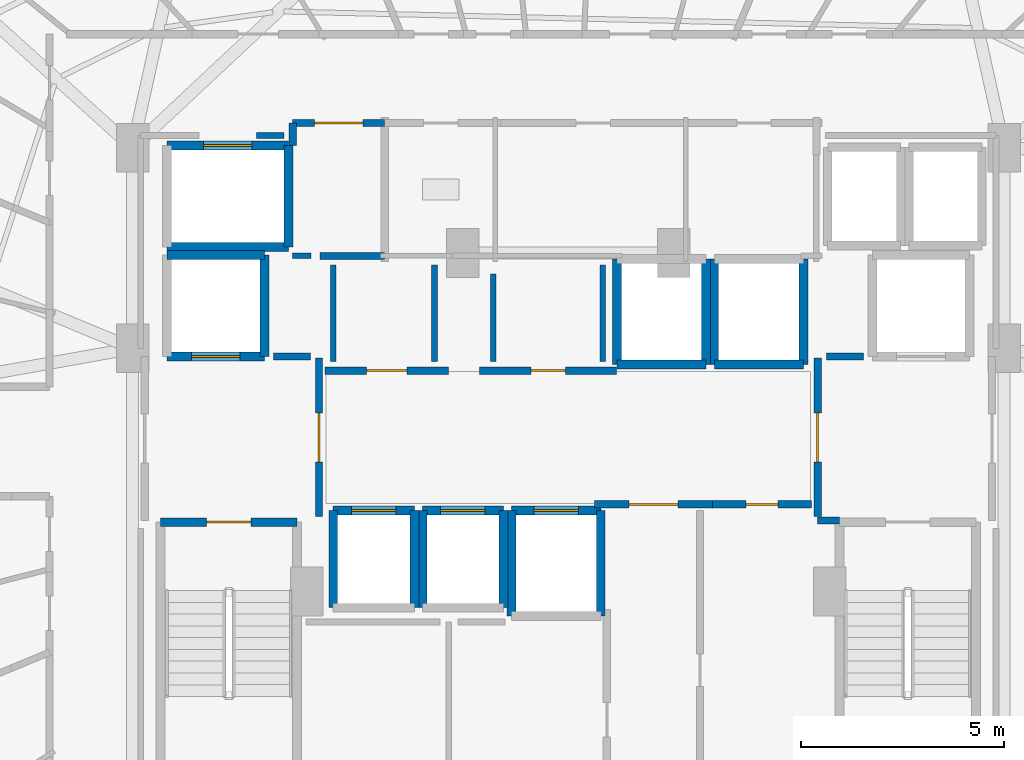
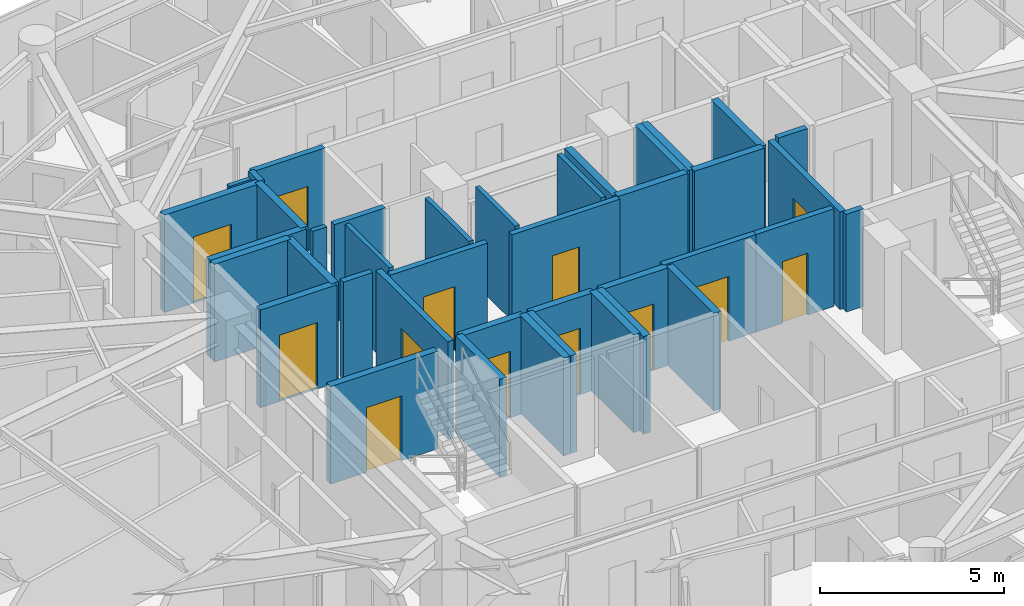
# One storey, part 22 of 28: 40 walls, 13 doors, 13 openings.
"""IFC4 building model written with IfcOpenShell, lengths in metres."""

from ifc_helpers import new_model, si_unit, direction, frame, frame_2d, origin, place, context, subcontext, project, spatial, rectangle, extrude, material, layer, layer_set, type_object, element, fill, save


model = new_model("IFC4")

# Units and contexts
model_context = context("Model", 3, precision=1e-05, world=origin(), true_north=direction((0.0, 1.0)))
body_context = subcontext(model_context, "Body", "Model", "MODEL_VIEW")
ifc_project = project(units=[si_unit("LENGTHUNIT", "METRE"), si_unit("AREAUNIT", "SQUARE_METRE"), si_unit("VOLUMEUNIT", "CUBIC_METRE"), si_unit("PLANEANGLEUNIT", "RADIAN"), si_unit("MASSUNIT", "GRAM", prefix="KILO")], contexts=[model_context])

# Site, building, storey
site_placement = place(None, origin())
site = spatial("IfcSite", under=ifc_project, at=site_placement, CompositionType="ELEMENT")
building_placement = place(site_placement, origin())
building = spatial("IfcBuilding", under=site, at=building_placement, Name="Vorneva Point Tower", CompositionType="ELEMENT")
storey_placement = place(building_placement, frame((0.0, 0.0, 146.60009765625)))
storey = spatial("IfcBuildingStorey", under=building, at=storey_placement, Name="L39", CompositionType="ELEMENT", Elevation=146.60009765625)

# Wall, opening, door
ifc_material_1 = material(Name="Concrete B60 (C50/60)", Category="concrete")
ifc_layer_1 = layer(ifc_material_1, 0.5)
ifc_layer_set_1 = layer_set([ifc_layer_1], Name="Concrete B60 (C50/60)")
wall_type_1 = type_object("IfcWallType", Name="WL-CORE-500", PredefinedType="SHEAR", material=ifc_layer_set_1)
wall_1_placement = place(storey_placement, frame((28.10009765625, 28.0, 0.0), z_axis=(0.0, 0.0, 1.0), x_axis=(1.0, 0.0, 0.0)))
wall_1 = element("IfcWall", 1, at=wall_1_placement, inside=storey, type_object=wall_type_1, Name="L39 Lift FFL1 Shaft Wall -Y", PredefinedType="SHEAR", context=body_context, shape_type="SweptSolid", body=[
    extrude(rectangle(XDim=2.39990234375, YDim=0.219970703125, at=frame_2d((1.199951171875, 0.0))), origin(), (0.0, 0.0, 1.0), 3.239990234375),
])
opening_1_placement = place(wall_1_placement, frame((0.60009765625, 0.0, 0.0)))
opening_1 = element("IfcOpeningElement", 2, at=opening_1_placement, cuts=wall_1, Name="Opening LD-02", PredefinedType="OPENING", context=body_context, shape_type="SweptSolid", body=[
    extrude(rectangle(XDim=1.199951171875, YDim=2.199951171875, at=frame_2d((0.60009765625, 1.10009765625))), frame((0.0, 0.125, 0.0), z_axis=(0.0, -1.0, 0.0), x_axis=(1.0, 0.0, 0.0)), (0.0, 0.0, 1.0), 0.249755859375),
])
ifc_material_2 = material(Name="Brushed stainless steel S304", Category="steel")
door_type_1 = type_object("IfcDoorType", Name="LD-FIRE-1200", OperationType="SLIDING_TO_LEFT", PredefinedType="DOOR", material=ifc_material_2)
door_1_placement = place(opening_1_placement, origin())
door_1 = element("IfcDoor", 3, at=door_1_placement, inside=storey, type_object=door_type_1, Name="L39 Lift FFL1 Sliding Landing Door", OperationType="SLIDING_TO_LEFT", OverallHeight=2.199951171875, OverallWidth=1.199951171875, PredefinedType="DOOR", context=body_context, shape_type="SweptSolid", body=[
    extrude(rectangle(XDim=1.199951171875, YDim=2.199951171875, at=frame_2d((0.60009765625, 1.10009765625))), frame((0.0, 0.02490234375, 0.0), z_axis=(0.0, -1.0, 0.0), x_axis=(1.0, 0.0, 0.0)), (0.0, 0.0, 1.0), 0.050048828125),
])
fill(opening_1, door_1)

# Walls
wall_2_placement = place(storey_placement, frame((30.5, 28.0, 0.0), z_axis=(0.0, 0.0, 1.0), x_axis=(0.0, 1.0, 0.0)))
element("IfcWall", 4, at=wall_2_placement, inside=storey, type_object=wall_type_1, Name="L39 Lift FFL1 Shaft Wall +X", PredefinedType="SHEAR", context=body_context, shape_type="SweptSolid", body=[
    extrude(rectangle(XDim=2.5, YDim=0.219970703125, at=frame_2d((1.25, 0.0))), origin(), (0.0, 0.0, 1.0), 3.239990234375),
])
wall_3_placement = place(storey_placement, frame((30.5, 30.5, 0.0), z_axis=(0.0, 0.0, 1.0), x_axis=(-1.0, 0.0, 0.0)))
element("IfcWall", 5, at=wall_3_placement, inside=storey, type_object=wall_type_1, Name="L39 Lift FFL1 Shaft Wall +Y", PredefinedType="SHEAR", context=body_context, shape_type="SweptSolid", body=[
    extrude(rectangle(XDim=2.39990234375, YDim=0.219970703125, at=frame_2d((1.199951171875, 0.0))), origin(), (0.0, 0.0, 1.0), 3.239990234375),
])
ifc_material_3 = material(Name="Fire-rated acoustic gypsum stud partition", Category="gypsum")
ifc_layer_2 = layer(ifc_material_3, 0.139892578125)
ifc_layer_set_2 = layer_set([ifc_layer_2], Name="Fire-rated acoustic gypsum stud partition")
wall_type_2 = type_object("IfcWallType", Name="WL-PART-140", PredefinedType="PARTITIONING", material=ifc_layer_set_2)
wall_4_placement = place(storey_placement, frame((31.199951171875, 30.47998046875, 0.0), z_axis=(0.0, 0.0, 1.0), x_axis=(1.0, 0.0, 0.0)))
element("IfcWall", 6, at=wall_4_placement, inside=storey, type_object=wall_type_2, Name="L39 Interior Closure Partition 136", PredefinedType="PARTITIONING", context=body_context, shape_type="SweptSolid", body=[
    extrude(rectangle(XDim=0.449951171875, YDim=0.139892578125, at=frame_2d((0.22509765625, 0.0))), origin(), (0.0, 0.0, 1.0), 3.239990234375),
])
for number, where, z_axis, x_axis, name in (
    (7, (32.199951171875, 30.260009765625, 0.0), (0.0, 0.0, 1.0), (0.0, -1.0, 0.0), "L39 Interior Closure Partition 142"),
    (8, (34.699951171875, 27.8701171875, 0.0), (0.0, 0.0, 1.0), (0.0, 1.0, 0.0), "L39 Interior Closure Partition 143"),
):
    element("IfcWall", number, at=place(storey_placement, frame(where, z_axis=z_axis, x_axis=x_axis)), inside=storey, type_object=wall_type_2, Name=name, PredefinedType="PARTITIONING", context=body_context, shape_type="SweptSolid", body=[
        extrude(rectangle(XDim=2.389892578125, YDim=0.139892578125, at=frame_2d((1.19482421875, 0.0))), origin(), (0.0, 0.0, 1.0), 3.239990234375),
    ])
wall_5_placement = place(storey_placement, frame((36.14990234375, 30.030029296875, 0.0), z_axis=(0.0, 0.0, 1.0), x_axis=(0.0, -1.0, 0.0)))
element("IfcWall", 9, at=wall_5_placement, inside=storey, type_object=wall_type_2, Name="L39 Interior Closure Partition 144", PredefinedType="PARTITIONING", context=body_context, shape_type="SweptSolid", body=[
    extrude(rectangle(XDim=2.159912109375, YDim=0.139892578125, at=frame_2d((1.080078125, 0.0))), origin(), (0.0, 0.0, 1.0), 3.239990234375),
])
wall_6_placement = place(storey_placement, frame((38.85009765625, 27.8701171875, 0.0), z_axis=(0.0, 0.0, 1.0), x_axis=(0.0, 1.0, 0.0)))
element("IfcWall", 10, at=wall_6_placement, inside=storey, type_object=wall_type_2, Name="L39 Interior Closure Partition 145", PredefinedType="PARTITIONING", context=body_context, shape_type="SweptSolid", body=[
    extrude(rectangle(XDim=2.389892578125, YDim=0.139892578125, at=frame_2d((1.19482421875, 0.0))), origin(), (0.0, 0.0, 1.0), 3.239990234375),
])
wall_7_placement = place(storey_placement, frame((30.97998046875, 33.449951171875, 0.0), z_axis=(0.0, 0.0, 1.0), x_axis=(-1.0, 0.0, 0.0)))
element("IfcWall", 11, at=wall_7_placement, inside=storey, type_object=wall_type_2, Name="L39 Interior Closure Partition 149", PredefinedType="PARTITIONING", context=body_context, shape_type="SweptSolid", body=[
    extrude(rectangle(XDim=0.674072265625, YDim=0.139892578125, at=frame_2d((0.3369140625, 0.0))), origin(), (0.0, 0.0, 1.0), 3.239990234375),
])

# Wall, opening, door
ifc_material_4 = material(Name="Autoclaved aerated concrete blockwork", Category="masonry")
ifc_layer_3 = layer(ifc_material_4, 0.179931640625)
ifc_layer_set_3 = layer_set([ifc_layer_3], Name="Autoclaved aerated concrete blockwork")
wall_type_3 = type_object("IfcWallType", Name="WL-PART-180", PredefinedType="PARTITIONING", material=ifc_layer_set_3)
wall_8_placement = place(storey_placement, frame((31.85009765625, 24.044921875, 0.0), z_axis=(0.0, 0.0, 1.0), x_axis=(0.0, 1.0, 0.0)))
wall_8 = element("IfcWall", 12, at=wall_8_placement, inside=storey, type_object=wall_type_3, Name="L39 Interior Partition 001", PredefinedType="PARTITIONING", context=body_context, shape_type="SweptSolid", body=[
    extrude(rectangle(XDim=3.91015625, YDim=0.179931640625, at=frame_2d((1.955078125, 0.0))), origin(), (0.0, 0.0, 1.0), 3.239990234375),
])
opening_2_placement = place(wall_8_placement, frame((1.35498046875, 0.0, 0.0)))
opening_2 = element("IfcOpeningElement", 13, at=opening_2_placement, cuts=wall_8, Name="Opening FD-02", PredefinedType="OPENING", context=body_context, shape_type="SweptSolid", body=[
    extrude(rectangle(XDim=1.199951171875, YDim=2.14990234375, at=frame_2d((0.60009765625, 1.074951171875))), frame((0.0, 0.10498046875, 0.0), z_axis=(0.0, -1.0, 0.0), x_axis=(1.0, 0.0, 0.0)), (0.0, 0.0, 1.0), 0.209716796875),
])
ifc_material_5 = material(Name="Fire-rated powder-coated steel", Category="steel")
door_type_2 = type_object("IfcDoorType", Name="DR-FFL-1200", OperationType="NOTDEFINED", PredefinedType="DOOR", material=ifc_material_5)
door_2_placement = place(opening_2_placement, origin())
door_2 = element("IfcDoor", 14, at=door_2_placement, inside=storey, type_object=door_type_2, Name="L39 Door West Firefighting Lobby / Central Lift Lobby", OperationType="SINGLE_SWING_LEFT", OverallHeight=2.14990234375, OverallWidth=1.199951171875, PredefinedType="DOOR", context=body_context, shape_type="SweptSolid", body=[
    extrude(rectangle(XDim=1.199951171875, YDim=2.14990234375, at=frame_2d((0.60009765625, 1.074951171875))), frame((0.0, 0.02490234375, 0.0), z_axis=(0.0, -1.0, 0.0), x_axis=(1.0, 0.0, 0.0)), (0.0, 0.0, 1.0), 0.050048828125),
])
fill(opening_2, door_2)

wall_9_placement = place(storey_placement, frame((44.14990234375, 27.955078125, 0.0), z_axis=(0.0, 0.0, 1.0), x_axis=(0.0, -1.0, 0.0)))
wall_9 = element("IfcWall", 15, at=wall_9_placement, inside=storey, type_object=wall_type_3, Name="L39 Interior Partition 003", PredefinedType="PARTITIONING", context=body_context, shape_type="SweptSolid", body=[
    extrude(rectangle(XDim=3.91015625, YDim=0.179931640625, at=frame_2d((1.955078125, 0.0))), origin(), (0.0, 0.0, 1.0), 3.239990234375),
])
opening_3_placement = place(wall_9_placement, frame((1.35498046875, 0.0, 0.0)))
opening_3 = element("IfcOpeningElement", 16, at=opening_3_placement, cuts=wall_9, Name="Opening FD-02", PredefinedType="OPENING", context=body_context, shape_type="SweptSolid", body=[
    extrude(rectangle(XDim=1.199951171875, YDim=2.14990234375, at=frame_2d((0.60009765625, 1.074951171875))), frame((0.0, 0.10498046875, 0.0), z_axis=(0.0, -1.0, 0.0), x_axis=(1.0, 0.0, 0.0)), (0.0, 0.0, 1.0), 0.209716796875),
])
door_3_placement = place(opening_3_placement, origin())
door_3 = element("IfcDoor", 17, at=door_3_placement, inside=storey, type_object=door_type_2, Name="L39 Door East Firefighting Lobby / Central Lift Lobby", OperationType="SINGLE_SWING_LEFT", OverallHeight=2.14990234375, OverallWidth=1.199951171875, PredefinedType="DOOR", context=body_context, shape_type="SweptSolid", body=[
    extrude(rectangle(XDim=1.199951171875, YDim=2.14990234375, at=frame_2d((0.60009765625, 1.074951171875))), frame((0.0, 0.02490234375, 0.0), z_axis=(0.0, -1.0, 0.0), x_axis=(1.0, 0.0, 0.0)), (0.0, 0.0, 1.0), 0.050048828125),
])
fill(opening_3, door_3)

# Walls
wall_10_placement = place(storey_placement, frame((44.14990234375, 23.949951171875, 0.0), z_axis=(0.0, 0.0, 1.0), x_axis=(1.0, 0.0, 0.0)))
element("IfcWall", 18, at=wall_10_placement, inside=storey, type_object=wall_type_3, Name="L39 Interior Partition 004", PredefinedType="PARTITIONING", context=body_context, shape_type="SweptSolid", body=[
    extrude(rectangle(XDim=0.5400390625, YDim=0.179931640625, at=frame_2d((0.27001953125, 0.0))), origin(), (0.0, 0.0, 1.0), 3.239990234375),
])
wall_11_placement = place(storey_placement, frame((31.8701171875, 30.47998046875, 0.0), z_axis=(0.0, 0.0, 1.0), x_axis=(1.0, 0.0, 0.0)))
element("IfcWall", 19, at=wall_11_placement, inside=storey, type_object=wall_type_3, Name="L39 Interior Partition 007", PredefinedType="PARTITIONING", context=body_context, shape_type="SweptSolid", body=[
    extrude(rectangle(XDim=1.599853515625, YDim=0.179931640625, at=frame_2d((0.7998046875, 0.0))), origin(), (0.0, 0.0, 1.0), 3.239990234375),
])

# Wall, opening, door
wall_12_placement = place(storey_placement, frame((33.469970703125, 33.760009765625, 0.0), z_axis=(0.0, 0.0, 1.0), x_axis=(-1.0, 0.0, 0.0)))
wall_12 = element("IfcWall", 20, at=wall_12_placement, inside=storey, type_object=wall_type_3, Name="L39 Interior Partition 008", PredefinedType="PARTITIONING", context=body_context, shape_type="SweptSolid", body=[
    extrude(rectangle(XDim=2.27001953125, YDim=0.179931640625, at=frame_2d((1.135009765625, 0.0))), origin(), (0.0, 0.0, 1.0), 3.239990234375),
])
opening_4_placement = place(wall_12_placement, frame((0.534912109375, 0.0, 0.0)))
opening_4 = element("IfcOpeningElement", 21, at=opening_4_placement, cuts=wall_12, Name="Opening FD-02", PredefinedType="OPENING", context=body_context, shape_type="SweptSolid", body=[
    extrude(rectangle(XDim=1.199951171875, YDim=2.14990234375, at=frame_2d((0.60009765625, 1.074951171875))), frame((0.0, 0.10498046875, 0.0), z_axis=(0.0, -1.0, 0.0), x_axis=(1.0, 0.0, 0.0)), (0.0, 0.0, 1.0), 0.209716796875),
])
door_4_placement = place(opening_4_placement, origin())
door_4 = element("IfcDoor", 22, at=door_4_placement, inside=storey, type_object=door_type_2, Name="L39 Door Service Lift Lobby / L39 Circulation Corridor", OperationType="SINGLE_SWING_LEFT", OverallHeight=2.14990234375, OverallWidth=1.199951171875, PredefinedType="DOOR", context=body_context, shape_type="SweptSolid", body=[
    extrude(rectangle(XDim=1.199951171875, YDim=2.14990234375, at=frame_2d((0.60009765625, 1.074951171875))), frame((0.0, 0.02490234375, 0.0), z_axis=(0.0, -1.0, 0.0), x_axis=(1.0, 0.0, 0.0)), (0.0, 0.0, 1.0), 0.050048828125),
])
fill(opening_4, door_4)

# Wall
wall_13_placement = place(storey_placement, frame((31.199951171875, 33.760009765625, 0.0), z_axis=(0.0, 0.0, 1.0), x_axis=(0.0, -1.0, 0.0)))
element("IfcWall", 23, at=wall_13_placement, inside=storey, type_object=wall_type_3, Name="L39 Interior Partition 009", PredefinedType="PARTITIONING", context=body_context, shape_type="SweptSolid", body=[
    extrude(rectangle(XDim=0.56005859375, YDim=0.179931640625, at=frame_2d((0.280029296875, 0.0))), origin(), (0.0, 0.0, 1.0), 3.239990234375),
])

# Wall, opening, door
wall_14_placement = place(storey_placement, frame((38.64501953125, 24.35009765625, 0.0), z_axis=(0.0, 0.0, 1.0), x_axis=(1.0, 0.0, 0.0)))
wall_14 = element("IfcWall", 24, at=wall_14_placement, inside=storey, type_object=wall_type_3, Name="L39 Interior Partition 010", PredefinedType="PARTITIONING", context=body_context, shape_type="SweptSolid", body=[
    extrude(rectangle(XDim=2.909912109375, YDim=0.179931640625, at=frame_2d((1.455078125, 0.0))), origin(), (0.0, 0.0, 1.0), 3.239990234375),
])
opening_5_placement = place(wall_14_placement, frame((0.85498046875, 0.0, 0.0)))
opening_5 = element("IfcOpeningElement", 25, at=opening_5_placement, cuts=wall_14, Name="Opening FD-02", PredefinedType="OPENING", context=body_context, shape_type="SweptSolid", body=[
    extrude(rectangle(XDim=1.199951171875, YDim=2.14990234375, at=frame_2d((0.60009765625, 1.074951171875))), frame((0.0, 0.10498046875, 0.0), z_axis=(0.0, -1.0, 0.0), x_axis=(1.0, 0.0, 0.0)), (0.0, 0.0, 1.0), 0.209716796875),
])
door_5_placement = place(opening_5_placement, origin())
door_5 = element("IfcDoor", 26, at=door_5_placement, inside=storey, type_object=door_type_2, Name="L39 Door Central Lift Lobby / Core Service Lobby", OperationType="SINGLE_SWING_RIGHT", OverallHeight=2.14990234375, OverallWidth=1.199951171875, PredefinedType="DOOR", context=body_context, shape_type="SweptSolid", body=[
    extrude(rectangle(XDim=1.199951171875, YDim=2.14990234375, at=frame_2d((0.60009765625, 1.074951171875))), frame((0.0, 0.02490234375, 0.0), z_axis=(0.0, -1.0, 0.0), x_axis=(1.0, 0.0, 0.0)), (0.0, 0.0, 1.0), 0.050048828125),
])
fill(opening_5, door_5)

wall_15_placement = place(storey_placement, frame((41.554931640625, 24.35009765625, 0.0), z_axis=(0.0, 0.0, 1.0), x_axis=(1.0, 0.0, 0.0)))
wall_15 = element("IfcWall", 27, at=wall_15_placement, inside=storey, type_object=wall_type_3, Name="L39 Interior Partition 011", PredefinedType="PARTITIONING", context=body_context, shape_type="SweptSolid", body=[
    extrude(rectangle(XDim=2.445068359375, YDim=0.179931640625, at=frame_2d((1.22265625, 0.0))), origin(), (0.0, 0.0, 1.0), 3.239990234375),
])
opening_6_placement = place(wall_15_placement, frame((0.822509765625, 0.0, 0.0)))
opening_6 = element("IfcOpeningElement", 28, at=opening_6_placement, cuts=wall_15, Name="Opening RD-01", PredefinedType="OPENING", context=body_context, shape_type="SweptSolid", body=[
    extrude(rectangle(XDim=0.800048828125, YDim=2.050048828125, at=frame_2d((0.39990234375, 1.02490234375))), frame((0.0, 0.10498046875, 0.0), z_axis=(0.0, -1.0, 0.0), x_axis=(1.0, 0.0, 0.0)), (0.0, 0.0, 1.0), 0.209716796875),
])
door_type_3 = type_object("IfcDoorType", Name="DR-RSR-800", OperationType="SINGLE_SWING_LEFT", PredefinedType="DOOR", material=ifc_material_5)
door_6_placement = place(opening_6_placement, origin())
door_6 = element("IfcDoor", 29, at=door_6_placement, inside=storey, type_object=door_type_3, Name="L39 Door Central Lift Lobby / Electrical Riser", OperationType="SINGLE_SWING_LEFT", OverallHeight=2.050048828125, OverallWidth=0.800048828125, PredefinedType="DOOR", context=body_context, shape_type="SweptSolid", body=[
    extrude(rectangle(XDim=0.800048828125, YDim=2.050048828125, at=frame_2d((0.39990234375, 1.02490234375))), frame((0.0, 0.02490234375, 0.0), z_axis=(0.0, -1.0, 0.0), x_axis=(1.0, 0.0, 0.0)), (0.0, 0.0, 1.0), 0.050048828125),
])
fill(opening_6, door_6)

wall_16_placement = place(storey_placement, frame((35.0400390625, 27.64990234375, 0.0), z_axis=(0.0, 0.0, 1.0), x_axis=(-1.0, 0.0, 0.0)))
wall_16 = element("IfcWall", 30, at=wall_16_placement, inside=storey, type_object=wall_type_3, Name="L39 Interior Partition 012", PredefinedType="PARTITIONING", context=body_context, shape_type="SweptSolid", body=[
    extrude(rectangle(XDim=3.0400390625, YDim=0.179931640625, at=frame_2d((1.52001953125, 0.0))), origin(), (0.0, 0.0, 1.0), 3.239990234375),
])
opening_7_placement = place(wall_16_placement, frame((1.02001953125, 0.0, 0.0)))
opening_7 = element("IfcOpeningElement", 31, at=opening_7_placement, cuts=wall_16, Name="Opening UD-01", PredefinedType="OPENING", context=body_context, shape_type="SweptSolid", body=[
    extrude(rectangle(XDim=1.0, YDim=2.14990234375, at=frame_2d((0.5, 1.074951171875))), frame((0.0, 0.10498046875, 0.0), z_axis=(0.0, -1.0, 0.0), x_axis=(1.0, 0.0, 0.0)), (0.0, 0.0, 1.0), 0.209716796875),
])
ifc_material_6 = material(Name="Engineered oak fire-rated door leaf", Category="wood")
door_type_4 = type_object("IfcDoorType", Name="DR-UNIT-1000", OperationType="NOTDEFINED", PredefinedType="DOOR", material=ifc_material_6)
door_7_placement = place(opening_7_placement, origin())
door_7 = element("IfcDoor", 32, at=door_7_placement, inside=storey, type_object=door_type_4, Name="L39 Door Central Lift Lobby / Reclaimed Core Lounge", OperationType="SINGLE_SWING_RIGHT", OverallHeight=2.14990234375, OverallWidth=1.0, PredefinedType="DOOR", context=body_context, shape_type="SweptSolid", body=[
    extrude(rectangle(XDim=1.0, YDim=2.14990234375, at=frame_2d((0.5, 1.074951171875))), frame((0.0, 0.02490234375, 0.0), z_axis=(0.0, -1.0, 0.0), x_axis=(1.0, 0.0, 0.0)), (0.0, 0.0, 1.0), 0.050048828125),
])
fill(opening_7, door_7)

wall_17_placement = place(storey_placement, frame((39.18994140625, 27.64990234375, 0.0), z_axis=(0.0, 0.0, 1.0), x_axis=(-1.0, 0.0, 0.0)))
wall_17 = element("IfcWall", 33, at=wall_17_placement, inside=storey, type_object=wall_type_3, Name="L39 Interior Partition 013", PredefinedType="PARTITIONING", context=body_context, shape_type="SweptSolid", body=[
    extrude(rectangle(XDim=3.3798828125, YDim=0.179931640625, at=frame_2d((1.68994140625, 0.0))), origin(), (0.0, 0.0, 1.0), 3.239990234375),
])
opening_8_placement = place(wall_17_placement, frame((1.264892578125, 0.0, 0.0)))
opening_8 = element("IfcOpeningElement", 34, at=opening_8_placement, cuts=wall_17, Name="Opening ID-02", PredefinedType="OPENING", context=body_context, shape_type="SweptSolid", body=[
    extrude(rectangle(XDim=0.85009765625, YDim=2.10009765625, at=frame_2d((0.425048828125, 1.050048828125))), frame((0.0, 0.10498046875, 0.0), z_axis=(0.0, -1.0, 0.0), x_axis=(1.0, 0.0, 0.0)), (0.0, 0.0, 1.0), 0.209716796875),
])
door_type_5 = type_object("IfcDoorType", Name="DR-BATH-850", OperationType="NOTDEFINED", PredefinedType="DOOR", material=ifc_material_6)
door_8_placement = place(opening_8_placement, origin())
door_8 = element("IfcDoor", 35, at=door_8_placement, inside=storey, type_object=door_type_5, Name="L39 Door Central Lift Lobby / Reclaimed Core Archive Store", OperationType="SINGLE_SWING_LEFT", OverallHeight=2.10009765625, OverallWidth=0.85009765625, PredefinedType="DOOR", context=body_context, shape_type="SweptSolid", body=[
    extrude(rectangle(XDim=0.85009765625, YDim=2.10009765625, at=frame_2d((0.425048828125, 1.050048828125))), frame((0.0, 0.02490234375, 0.0), z_axis=(0.0, -1.0, 0.0), x_axis=(1.0, 0.0, 0.0)), (0.0, 0.0, 1.0), 0.050048828125),
])
fill(opening_8, door_8)

# Walls
for number, where, z_axis, x_axis, name in (
    (36, (31.635009765625, 28.0, 0.0), (0.0, 0.0, 1.0), (-1.0, 0.0, 0.0), "L39 Interior Closure Partition 134"),
    (37, (45.280029296875, 28.0, 0.0), (0.0, 0.0, 1.0), (-1.0, 0.0, 0.0), "L39 Interior Closure Partition 135"),
):
    element("IfcWall", number, at=place(storey_placement, frame(where, z_axis=z_axis, x_axis=x_axis)), inside=storey, type_object=wall_type_3, Name=name, PredefinedType="PARTITIONING", context=body_context, shape_type="SweptSolid", body=[
        extrude(rectangle(XDim=0.9150390625, YDim=0.179931640625, at=frame_2d((0.45751953125, 0.0))), origin(), (0.0, 0.0, 1.0), 3.239990234375),
    ])

# Wall, opening, door
ifc_material_7 = material(Name="Concrete B50 (C40/50)", Category="concrete")
ifc_layer_4 = layer(ifc_material_7, 0.219970703125)
ifc_layer_set_4 = layer_set([ifc_layer_4], Name="Concrete B50 (C40/50)")
wall_type_4 = type_object("IfcWallType", Name="WL-SHFT-220", PredefinedType="SOLIDWALL", material=ifc_layer_set_4)
wall_18_placement = place(storey_placement, frame((27.93994140625, 23.909912109375, 0.0), z_axis=(0.0, 0.0, 1.0), x_axis=(1.0, 0.0, 0.0)))
wall_18 = element("IfcWall", 38, at=wall_18_placement, inside=storey, type_object=wall_type_4, Name="L39 Exit Stair ST1 Shaft Wall near", PredefinedType="SOLIDWALL", context=body_context, shape_type="SweptSolid", body=[
    extrude(rectangle(XDim=3.3701171875, YDim=0.219970703125, at=frame_2d((1.68505859375, 0.0))), origin(), (0.0, 0.0, 1.0), 3.239990234375),
])
opening_9_placement = place(wall_18_placement, frame((1.135009765625, 0.0, 0.0)))
opening_9 = element("IfcOpeningElement", 39, at=opening_9_placement, cuts=wall_18, Name="Opening FD-01", PredefinedType="OPENING", context=body_context, shape_type="SweptSolid", body=[
    extrude(rectangle(XDim=1.10009765625, YDim=2.14990234375, at=frame_2d((0.550048828125, 1.074951171875))), frame((0.0, 0.125, 0.0), z_axis=(0.0, -1.0, 0.0), x_axis=(1.0, 0.0, 0.0)), (0.0, 0.0, 1.0), 0.249755859375),
])
door_type_6 = type_object("IfcDoorType", Name="DR-STAIR-1100", OperationType="NOTDEFINED", PredefinedType="DOOR", material=ifc_material_5)
door_9_placement = place(opening_9_placement, origin())
door_9 = element("IfcDoor", 40, at=door_9_placement, inside=storey, type_object=door_type_6, Name="L39 Exit Stair ST1 Fire Door", OperationType="SINGLE_SWING_LEFT", OverallHeight=2.14990234375, OverallWidth=1.10009765625, PredefinedType="DOOR", context=body_context, shape_type="SweptSolid", body=[
    extrude(rectangle(XDim=1.10009765625, YDim=2.14990234375, at=frame_2d((0.550048828125, 1.074951171875))), frame((0.0, 0.02490234375, 0.0), z_axis=(0.0, -1.0, 0.0), x_axis=(1.0, 0.0, 0.0)), (0.0, 0.0, 1.0), 0.050048828125),
])
fill(opening_9, door_9)

# Wall
wall_19_placement = place(storey_placement, frame((34.199951171875, 21.800048828125, 0.0), z_axis=(0.0, 0.0, 1.0), x_axis=(0.0, 1.0, 0.0)))
element("IfcWall", 41, at=wall_19_placement, inside=storey, type_object=wall_type_4, Name="L39 Lift PL4 Shaft Wall +X", PredefinedType="SOLIDWALL", context=body_context, shape_type="SweptSolid", body=[
    extrude(rectangle(XDim=2.39990234375, YDim=0.219970703125, at=frame_2d((1.199951171875, 0.0))), origin(), (0.0, 0.0, 1.0), 3.239990234375),
])

# Wall, opening, door
wall_20_placement = place(storey_placement, frame((34.199951171875, 24.199951171875, 0.0), z_axis=(0.0, 0.0, 1.0), x_axis=(-1.0, 0.0, 0.0)))
wall_20 = element("IfcWall", 42, at=wall_20_placement, inside=storey, type_object=wall_type_4, Name="L39 Lift PL4 Shaft Wall +Y", PredefinedType="SOLIDWALL", context=body_context, shape_type="SweptSolid", body=[
    extrude(rectangle(XDim=2.0, YDim=0.219970703125, at=frame_2d((1.0, 0.0))), origin(), (0.0, 0.0, 1.0), 3.239990234375),
])
opening_10_placement = place(wall_20_placement, frame((0.449951171875, 0.0, 0.0)))
opening_10 = element("IfcOpeningElement", 43, at=opening_10_placement, cuts=wall_20, Name="Opening LD-01", PredefinedType="OPENING", context=body_context, shape_type="SweptSolid", body=[
    extrude(rectangle(XDim=1.10009765625, YDim=2.199951171875, at=frame_2d((0.550048828125, 1.10009765625))), frame((0.0, 0.125, 0.0), z_axis=(0.0, -1.0, 0.0), x_axis=(1.0, 0.0, 0.0)), (0.0, 0.0, 1.0), 0.249755859375),
])
door_type_7 = type_object("IfcDoorType", Name="LD-PASS-1100", OperationType="SLIDING_TO_LEFT", PredefinedType="DOOR", material=ifc_material_2)
door_10_placement = place(opening_10_placement, origin())
door_10 = element("IfcDoor", 44, at=door_10_placement, inside=storey, type_object=door_type_7, Name="L39 Lift PL4 Sliding Landing Door", OperationType="SLIDING_TO_LEFT", OverallHeight=2.199951171875, OverallWidth=1.10009765625, PredefinedType="DOOR", context=body_context, shape_type="SweptSolid", body=[
    extrude(rectangle(XDim=1.10009765625, YDim=2.199951171875, at=frame_2d((0.550048828125, 1.10009765625))), frame((0.0, 0.02490234375, 0.0), z_axis=(0.0, -1.0, 0.0), x_axis=(1.0, 0.0, 0.0)), (0.0, 0.0, 1.0), 0.050048828125),
])
fill(opening_10, door_10)

# Walls
for number, where, z_axis, x_axis, name in (
    (45, (32.199951171875, 24.199951171875, 0.0), (0.0, 0.0, 1.0), (0.0, -1.0, 0.0), "L39 Lift PL4 Shaft Wall -X"),
    (46, (36.39990234375, 21.800048828125, 0.0), (0.0, 0.0, 1.0), (0.0, 1.0, 0.0), "L39 Lift PL5 Shaft Wall +X"),
):
    element("IfcWall", number, at=place(storey_placement, frame(where, z_axis=z_axis, x_axis=x_axis)), inside=storey, type_object=wall_type_4, Name=name, PredefinedType="SOLIDWALL", context=body_context, shape_type="SweptSolid", body=[
        extrude(rectangle(XDim=2.39990234375, YDim=0.219970703125, at=frame_2d((1.199951171875, 0.0))), origin(), (0.0, 0.0, 1.0), 3.239990234375),
    ])

# Wall, opening, door
wall_21_placement = place(storey_placement, frame((36.39990234375, 24.199951171875, 0.0), z_axis=(0.0, 0.0, 1.0), x_axis=(-1.0, 0.0, 0.0)))
wall_21 = element("IfcWall", 47, at=wall_21_placement, inside=storey, type_object=wall_type_4, Name="L39 Lift PL5 Shaft Wall +Y", PredefinedType="SOLIDWALL", context=body_context, shape_type="SweptSolid", body=[
    extrude(rectangle(XDim=2.0, YDim=0.219970703125, at=frame_2d((1.0, 0.0))), origin(), (0.0, 0.0, 1.0), 3.239990234375),
])
opening_11_placement = place(wall_21_placement, frame((0.449951171875, 0.0, 0.0)))
opening_11 = element("IfcOpeningElement", 48, at=opening_11_placement, cuts=wall_21, Name="Opening LD-01", PredefinedType="OPENING", context=body_context, shape_type="SweptSolid", body=[
    extrude(rectangle(XDim=1.10009765625, YDim=2.199951171875, at=frame_2d((0.550048828125, 1.10009765625))), frame((0.0, 0.125, 0.0), z_axis=(0.0, -1.0, 0.0), x_axis=(1.0, 0.0, 0.0)), (0.0, 0.0, 1.0), 0.249755859375),
])
door_11_placement = place(opening_11_placement, origin())
door_11 = element("IfcDoor", 49, at=door_11_placement, inside=storey, type_object=door_type_7, Name="L39 Lift PL5 Sliding Landing Door", OperationType="SLIDING_TO_LEFT", OverallHeight=2.199951171875, OverallWidth=1.10009765625, PredefinedType="DOOR", context=body_context, shape_type="SweptSolid", body=[
    extrude(rectangle(XDim=1.10009765625, YDim=2.199951171875, at=frame_2d((0.550048828125, 1.10009765625))), frame((0.0, 0.02490234375, 0.0), z_axis=(0.0, -1.0, 0.0), x_axis=(1.0, 0.0, 0.0)), (0.0, 0.0, 1.0), 0.050048828125),
])
fill(opening_11, door_11)

# Walls
wall_22_placement = place(storey_placement, frame((34.39990234375, 24.199951171875, 0.0), z_axis=(0.0, 0.0, 1.0), x_axis=(0.0, -1.0, 0.0)))
element("IfcWall", 50, at=wall_22_placement, inside=storey, type_object=wall_type_4, Name="L39 Lift PL5 Shaft Wall -X", PredefinedType="SOLIDWALL", context=body_context, shape_type="SweptSolid", body=[
    extrude(rectangle(XDim=2.39990234375, YDim=0.219970703125, at=frame_2d((1.199951171875, 0.0))), origin(), (0.0, 0.0, 1.0), 3.239990234375),
])
wall_23_placement = place(storey_placement, frame((38.800048828125, 21.60009765625, 0.0), z_axis=(0.0, 0.0, 1.0), x_axis=(0.0, 1.0, 0.0)))
element("IfcWall", 51, at=wall_23_placement, inside=storey, type_object=wall_type_4, Name="L39 Lift PL6 Shaft Wall +X", PredefinedType="SOLIDWALL", context=body_context, shape_type="SweptSolid", body=[
    extrude(rectangle(XDim=2.599853515625, YDim=0.219970703125, at=frame_2d((1.2998046875, 0.0))), origin(), (0.0, 0.0, 1.0), 3.239990234375),
])

# Wall, opening, door
wall_24_placement = place(storey_placement, frame((38.800048828125, 24.199951171875, 0.0), z_axis=(0.0, 0.0, 1.0), x_axis=(-1.0, 0.0, 0.0)))
wall_24 = element("IfcWall", 52, at=wall_24_placement, inside=storey, type_object=wall_type_4, Name="L39 Lift PL6 Shaft Wall +Y", PredefinedType="SOLIDWALL", context=body_context, shape_type="SweptSolid", body=[
    extrude(rectangle(XDim=2.199951171875, YDim=0.219970703125, at=frame_2d((1.10009765625, 0.0))), origin(), (0.0, 0.0, 1.0), 3.239990234375),
])
opening_12_placement = place(wall_24_placement, frame((0.550048828125, 0.0, 0.0)))
opening_12 = element("IfcOpeningElement", 53, at=opening_12_placement, cuts=wall_24, Name="Opening LD-01", PredefinedType="OPENING", context=body_context, shape_type="SweptSolid", body=[
    extrude(rectangle(XDim=1.10009765625, YDim=2.199951171875, at=frame_2d((0.550048828125, 1.10009765625))), frame((0.0, 0.125, 0.0), z_axis=(0.0, -1.0, 0.0), x_axis=(1.0, 0.0, 0.0)), (0.0, 0.0, 1.0), 0.249755859375),
])
door_12_placement = place(opening_12_placement, origin())
door_12 = element("IfcDoor", 54, at=door_12_placement, inside=storey, type_object=door_type_7, Name="L39 Lift PL6 Sliding Landing Door", OperationType="SLIDING_TO_LEFT", OverallHeight=2.199951171875, OverallWidth=1.10009765625, PredefinedType="DOOR", context=body_context, shape_type="SweptSolid", body=[
    extrude(rectangle(XDim=1.10009765625, YDim=2.199951171875, at=frame_2d((0.550048828125, 1.10009765625))), frame((0.0, 0.02490234375, 0.0), z_axis=(0.0, -1.0, 0.0), x_axis=(1.0, 0.0, 0.0)), (0.0, 0.0, 1.0), 0.050048828125),
])
fill(opening_12, door_12)

# Walls
wall_25_placement = place(storey_placement, frame((36.60009765625, 24.199951171875, 0.0), z_axis=(0.0, 0.0, 1.0), x_axis=(0.0, -1.0, 0.0)))
element("IfcWall", 55, at=wall_25_placement, inside=storey, type_object=wall_type_4, Name="L39 Lift PL6 Shaft Wall -X", PredefinedType="SOLIDWALL", context=body_context, shape_type="SweptSolid", body=[
    extrude(rectangle(XDim=2.599853515625, YDim=0.219970703125, at=frame_2d((1.2998046875, 0.0))), origin(), (0.0, 0.0, 1.0), 3.239990234375),
])
wall_26_placement = place(storey_placement, frame((39.199951171875, 27.800048828125, 0.0), z_axis=(0.0, 0.0, 1.0), x_axis=(1.0, 0.0, 0.0)))
element("IfcWall", 56, at=wall_26_placement, inside=storey, type_object=wall_type_4, Name="L39 Lift PL7 Shaft Wall -Y", PredefinedType="SOLIDWALL", context=body_context, shape_type="SweptSolid", body=[
    extrude(rectangle(XDim=2.199951171875, YDim=0.219970703125, at=frame_2d((1.10009765625, 0.0))), origin(), (0.0, 0.0, 1.0), 3.239990234375),
])
for number, where, z_axis, x_axis, name in (
    (57, (41.39990234375, 27.800048828125, 0.0), (0.0, 0.0, 1.0), (0.0, 1.0, 0.0), "L39 Lift PL7 Shaft Wall +X"),
    (58, (39.199951171875, 30.39990234375, 0.0), (0.0, 0.0, 1.0), (0.0, -1.0, 0.0), "L39 Lift PL7 Shaft Wall -X"),
):
    element("IfcWall", number, at=place(storey_placement, frame(where, z_axis=z_axis, x_axis=x_axis)), inside=storey, type_object=wall_type_4, Name=name, PredefinedType="SOLIDWALL", context=body_context, shape_type="SweptSolid", body=[
        extrude(rectangle(XDim=2.599853515625, YDim=0.219970703125, at=frame_2d((1.2998046875, 0.0))), origin(), (0.0, 0.0, 1.0), 3.239990234375),
    ])
wall_27_placement = place(storey_placement, frame((41.60009765625, 27.800048828125, 0.0), z_axis=(0.0, 0.0, 1.0), x_axis=(1.0, 0.0, 0.0)))
element("IfcWall", 59, at=wall_27_placement, inside=storey, type_object=wall_type_4, Name="L39 Lift PL8 Shaft Wall -Y", PredefinedType="SOLIDWALL", context=body_context, shape_type="SweptSolid", body=[
    extrude(rectangle(XDim=2.199951171875, YDim=0.219970703125, at=frame_2d((1.10009765625, 0.0))), origin(), (0.0, 0.0, 1.0), 3.239990234375),
])
for number, where, z_axis, x_axis, name in (
    (60, (43.800048828125, 27.800048828125, 0.0), (0.0, 0.0, 1.0), (0.0, 1.0, 0.0), "L39 Lift PL8 Shaft Wall +X"),
    (61, (41.60009765625, 30.39990234375, 0.0), (0.0, 0.0, 1.0), (0.0, -1.0, 0.0), "L39 Lift PL8 Shaft Wall -X"),
):
    element("IfcWall", number, at=place(storey_placement, frame(where, z_axis=z_axis, x_axis=x_axis)), inside=storey, type_object=wall_type_4, Name=name, PredefinedType="SOLIDWALL", context=body_context, shape_type="SweptSolid", body=[
        extrude(rectangle(XDim=2.599853515625, YDim=0.219970703125, at=frame_2d((1.2998046875, 0.0))), origin(), (0.0, 0.0, 1.0), 3.239990234375),
    ])
wall_28_placement = place(storey_placement, frame((28.10009765625, 30.699951171875, 0.0), z_axis=(0.0, 0.0, 1.0), x_axis=(1.0, 0.0, 0.0)))
element("IfcWall", 62, at=wall_28_placement, inside=storey, type_object=wall_type_4, Name="L39 Lift SVL1 Shaft Wall -Y", PredefinedType="SOLIDWALL", context=body_context, shape_type="SweptSolid", body=[
    extrude(rectangle(XDim=3.0, YDim=0.219970703125, at=frame_2d((1.5, 0.0))), origin(), (0.0, 0.0, 1.0), 3.239990234375),
])
wall_29_placement = place(storey_placement, frame((31.10009765625, 30.699951171875, 0.0), z_axis=(0.0, 0.0, 1.0), x_axis=(0.0, 1.0, 0.0)))
element("IfcWall", 63, at=wall_29_placement, inside=storey, type_object=wall_type_4, Name="L39 Lift SVL1 Shaft Wall +X", PredefinedType="SOLIDWALL", context=body_context, shape_type="SweptSolid", body=[
    extrude(rectangle(XDim=2.5, YDim=0.219970703125, at=frame_2d((1.25, 0.0))), origin(), (0.0, 0.0, 1.0), 3.239990234375),
])

# Wall, opening, door
wall_30_placement = place(storey_placement, frame((31.10009765625, 33.199951171875, 0.0), z_axis=(0.0, 0.0, 1.0), x_axis=(-1.0, 0.0, 0.0)))
wall_30 = element("IfcWall", 64, at=wall_30_placement, inside=storey, type_object=wall_type_4, Name="L39 Lift SVL1 Shaft Wall +Y", PredefinedType="SOLIDWALL", context=body_context, shape_type="SweptSolid", body=[
    extrude(rectangle(XDim=3.0, YDim=0.219970703125, at=frame_2d((1.5, 0.0))), origin(), (0.0, 0.0, 1.0), 3.239990234375),
])
opening_13_placement = place(wall_30_placement, frame((0.89990234375, 0.0, 0.0)))
opening_13 = element("IfcOpeningElement", 65, at=opening_13_placement, cuts=wall_30, Name="Opening LD-02", PredefinedType="OPENING", context=body_context, shape_type="SweptSolid", body=[
    extrude(rectangle(XDim=1.199951171875, YDim=2.199951171875, at=frame_2d((0.60009765625, 1.10009765625))), frame((0.0, 0.125, 0.0), z_axis=(0.0, -1.0, 0.0), x_axis=(1.0, 0.0, 0.0)), (0.0, 0.0, 1.0), 0.249755859375),
])
door_13_placement = place(opening_13_placement, origin())
door_13 = element("IfcDoor", 66, at=door_13_placement, inside=storey, type_object=door_type_1, Name="L39 Lift SVL1 Sliding Landing Door", OperationType="SLIDING_TO_LEFT", OverallHeight=2.199951171875, OverallWidth=1.199951171875, PredefinedType="DOOR", context=body_context, shape_type="SweptSolid", body=[
    extrude(rectangle(XDim=1.199951171875, YDim=2.199951171875, at=frame_2d((0.60009765625, 1.10009765625))), frame((0.0, 0.02490234375, 0.0), z_axis=(0.0, -1.0, 0.0), x_axis=(1.0, 0.0, 0.0)), (0.0, 0.0, 1.0), 0.050048828125),
])
fill(opening_13, door_13)

save(model, "model.ifc")
